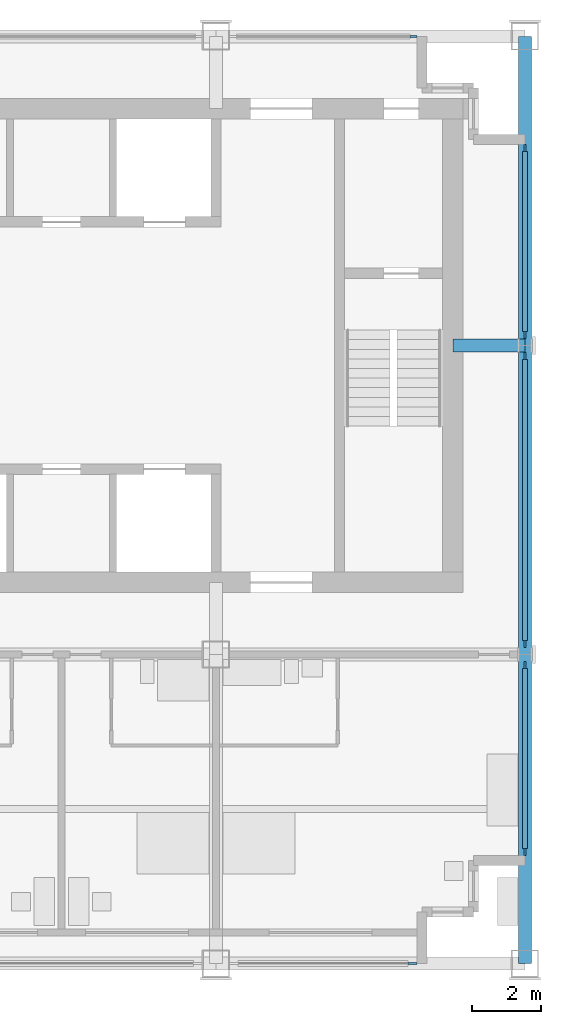
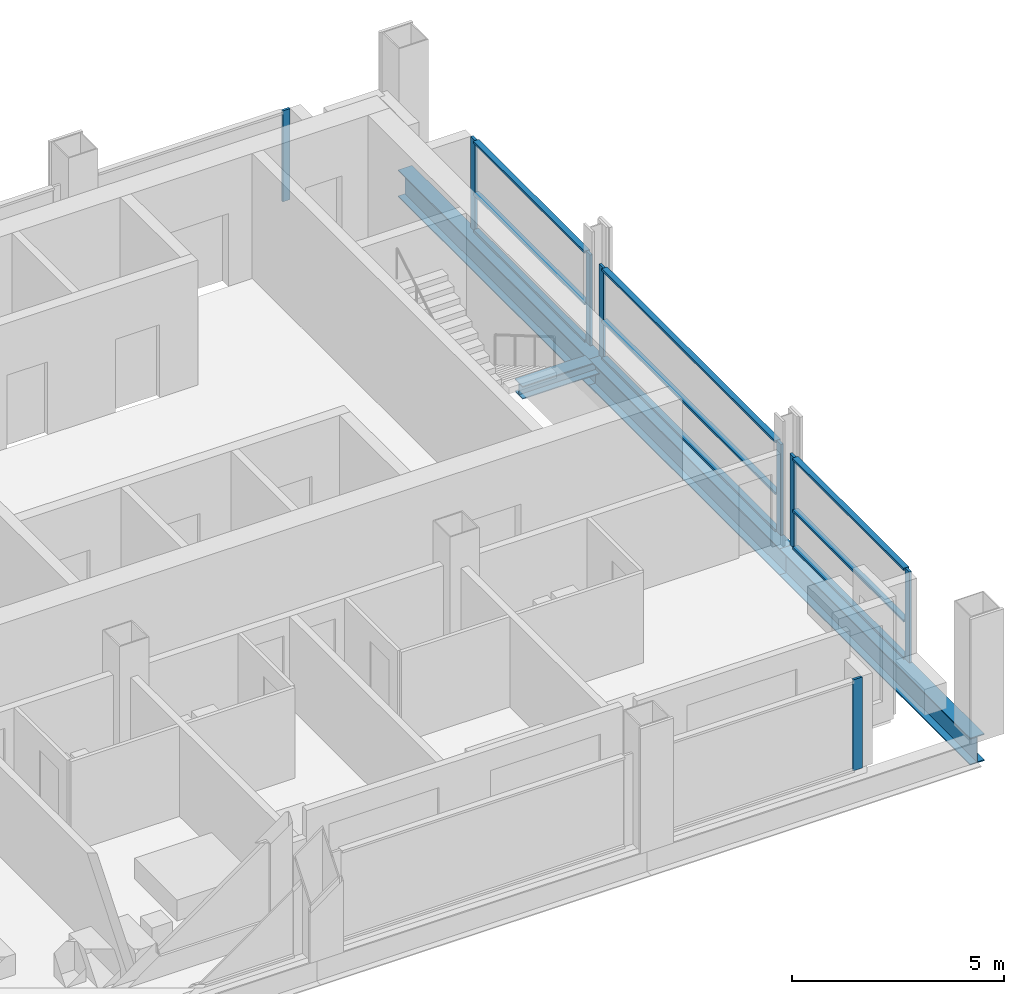
# One storey, part 4 of 12: 18 members, 3 beams, 5 elements without a shape of their own.
"""IFC4 building model written with IfcOpenShell, lengths in metres."""

from ifc_helpers import new_model, si_unit, direction, frame, origin, origin_2d, place, context, subcontext, project, spatial, rectangle, i_section, extrude, material, material_profile, profile_set, type_object, element, aggregate, save


model = new_model("IFC4")

# Units and contexts
model_context = context("Model", 3, precision=1e-05, world=origin(), true_north=direction((0.0, 1.0)))
body_context = subcontext(model_context, "Body", "Model", "MODEL_VIEW")
ifc_project = project(units=[si_unit("LENGTHUNIT", "METRE"), si_unit("AREAUNIT", "SQUARE_METRE"), si_unit("VOLUMEUNIT", "CUBIC_METRE"), si_unit("PLANEANGLEUNIT", "RADIAN"), si_unit("MASSUNIT", "GRAM", prefix="KILO")], contexts=[model_context])

# Site, building, storey
site_placement = place(None, origin())
site = spatial("IfcSite", under=ifc_project, at=site_placement, CompositionType="ELEMENT")
building_placement = place(site_placement, origin())
building = spatial("IfcBuilding", under=site, at=building_placement, Name="Loomwork Tower", CompositionType="ELEMENT")
storey_placement = place(building_placement, frame((0.0, 0.0, 259.0)))
storey = spatial("IfcBuildingStorey", under=building, at=storey_placement, Name="L71", CompositionType="ELEMENT", Elevation=259.0)

# Member
ifc_material_1 = material(Name="Steel ASTM A992", Category="steel")
ifc_material_profile_1 = material_profile(ifc_material_1, i_section(OverallWidth=0.373291015625, OverallDepth=0.373291015625, WebThickness=0.016357421875, FlangeThickness=0.026123046875, at=origin_2d()), Name="W14x132")
ifc_profile_set_1 = profile_set([ifc_material_profile_1], Name="Steel ASTM A992")
member_type_1 = type_object("IfcMemberType", Name="CORE LINK STRUT W14x132", PredefinedType="STRUT", material=ifc_profile_set_1)
member_1_placement = place(storey_placement, frame((36.0, 18.0, -0.38671875), z_axis=(-1.0, 0.0, 0.0), x_axis=(0.0, -1.0, 0.0)))
element("IfcMember", 1, at=member_1_placement, inside=storey, type_object=member_type_1, Name="Core link strut F/6-33.900,18.000 L71", PredefinedType="STRUT", context=body_context, shape_type="SweptSolid", body=[
    extrude(i_section(OverallWidth=0.373291015625, OverallDepth=0.373291015625, WebThickness=0.016357421875, FlangeThickness=0.026123046875, at=origin_2d()), origin(), (0.0, 0.0, 1.0), 2.10009765625),
])

# Curtain wall, member
ifc_material_2 = material(Name="Aluminium curtain wall frame", Category="aluminium")
curtain_wall_type_1 = type_object("IfcCurtainWallType", Name="Outer skin glazing suites", PredefinedType="NOTDEFINED", material=ifc_material_2)
curtain_wall_1_placement = place(storey_placement, origin())
curtain_wall_1 = element("IfcCurtainWall", 2, at=curtain_wall_1_placement, inside=storey, type_object=curtain_wall_type_1, Name="Outer skin glazing suites cw/S-27", PredefinedType="NOTDEFINED")
ifc_material_3 = material(Name="Aluminium curtain wall frame", Category="aluminium")
ifc_material_profile_2 = material_profile(ifc_material_3, rectangle(XDim=0.06494140625, YDim=0.25, at=origin_2d()), Name="AL 65x250")
ifc_profile_set_2 = profile_set([ifc_material_profile_2], Name="Aluminium curtain wall frame")
member_type_2 = type_object("IfcMemberType", Name="Outer skin glazing suites mullion", PredefinedType="MULLION", material=ifc_profile_set_2)
member_2_placement = place(storey_placement, frame((32.72509765625, 0.0, 0.0), z_axis=(0.0, 0.0, 1.0), x_axis=(0.0, 1.0, 0.0)))
member_2 = element("IfcMember", 3, at=member_2_placement, type_object=member_type_2, Name="CW2 mullion 2", PredefinedType="MULLION", context=body_context, shape_type="SweptSolid", body=[
    extrude(rectangle(XDim=0.06494140625, YDim=0.25, at=origin_2d()), origin(), (0.0, 0.0, 1.0), 2.6201171875),
])
aggregate(curtain_wall_1, [member_2])

# Beams
ifc_material_4 = material(Name="Steel ASTM A992", Category="steel")
ifc_material_profile_3 = material_profile(ifc_material_4, i_section(OverallWidth=0.381103515625, OverallDepth=0.77978515625, WebThickness=0.01806640625, FlangeThickness=0.0302734375, at=origin_2d()), Name="W30x191")
ifc_profile_set_3 = profile_set([ifc_material_profile_3], Name="Steel ASTM A992")
beam_type = type_object("IfcBeamType", Name="SPANDREL GIRDER W30x191", PredefinedType="SPANDREL", material=ifc_profile_set_3)
for number, where, z_axis, x_axis, name in (
    (4, (36.0, 0.0, -0.58984375), (0.0, 1.0, 0.0), (-1.0, 0.0, 0.0), "Spandrel Girder D/6-E/6 L71"),
    (5, (36.0, 9.0, -0.58984375), (0.0, 1.0, 0.0), (-1.0, 0.0, 0.0), "Spandrel Girder E/6-F/6 L71"),
    (6, (36.0, 18.0, -0.58984375), (0.0, 1.0, 0.0), (-1.0, 0.0, 0.0), "Spandrel Girder F/6-G/6 L71"),
):
    element("IfcBeam", number, at=place(storey_placement, frame(where, z_axis=z_axis, x_axis=x_axis)), inside=storey, type_object=beam_type, Name=name, PredefinedType="SPANDREL", context=body_context, shape_type="SweptSolid", body=[
        extrude(i_section(OverallWidth=0.381103515625, OverallDepth=0.77978515625, WebThickness=0.01806640625, FlangeThickness=0.0302734375, at=origin_2d()), origin(), (0.0, 0.0, 1.0), 9.0),
    ])

# Curtain wall, member
ifc_material_5 = material(Name="Aluminium curtain wall frame", Category="aluminium")
curtain_wall_type_2 = type_object("IfcCurtainWallType", Name="Single skin glazing corridor", PredefinedType="NOTDEFINED", material=ifc_material_5)
curtain_wall_2_placement = place(storey_placement, origin())
curtain_wall_2 = element("IfcCurtainWall", 7, at=curtain_wall_2_placement, inside=storey, type_object=curtain_wall_type_2, Name="Single skin glazing corridor cw/N-27", PredefinedType="NOTDEFINED")
ifc_material_6 = material(Name="Aluminium curtain wall frame", Category="aluminium")
ifc_material_profile_4 = material_profile(ifc_material_6, rectangle(XDim=0.06494140625, YDim=0.199951171875, at=origin_2d()), Name="AL 65x200")
ifc_profile_set_4 = profile_set([ifc_material_profile_4], Name="Aluminium curtain wall frame")
member_type_3 = type_object("IfcMemberType", Name="Single skin glazing corridor mullion", PredefinedType="MULLION", material=ifc_profile_set_4)
member_3_placement = place(storey_placement, frame((32.75, 27.0, 0.0), z_axis=(0.0, 0.0, 1.0), x_axis=(0.0, -1.0, 0.0)))
member_3 = element("IfcMember", 8, at=member_3_placement, type_object=member_type_3, Name="CW3 mullion 1", PredefinedType="MULLION", context=body_context, shape_type="SweptSolid", body=[
    extrude(rectangle(XDim=0.06494140625, YDim=0.199951171875, at=origin_2d()), origin(), (0.0, 0.0, 1.0), 2.6201171875),
])
aggregate(curtain_wall_2, [member_3])

# Curtain wall, members
curtain_wall_3_placement = place(storey_placement, origin())
curtain_wall_3 = element("IfcCurtainWall", 9, at=curtain_wall_3_placement, inside=storey, type_object=curtain_wall_type_2, Name="Single skin glazing corridor cw/E-0", PredefinedType="NOTDEFINED")
member_4_placement = place(storey_placement, frame((36.0, 3.25, 0.0), z_axis=(0.0, 0.0, 1.0), x_axis=(-1.0, 0.0, 0.0)))
member_4 = element("IfcMember", 10, at=member_4_placement, type_object=member_type_3, Name="CW3 mullion 1", PredefinedType="MULLION", context=body_context, shape_type="SweptSolid", body=[
    extrude(rectangle(XDim=0.06494140625, YDim=0.199951171875, at=origin_2d()), origin(), (0.0, 0.0, 1.0), 2.6201171875),
])
member_5_placement = place(storey_placement, frame((36.0, 8.691650390625, 0.0), z_axis=(0.0, 0.0, 1.0), x_axis=(-1.0, 0.0, 0.0)))
member_5 = element("IfcMember", 11, at=member_5_placement, type_object=member_type_3, Name="CW3 mullion 2", PredefinedType="MULLION", context=body_context, shape_type="SweptSolid", body=[
    extrude(rectangle(XDim=0.06494140625, YDim=0.199951171875, at=origin_2d()), origin(), (0.0, 0.0, 1.0), 2.6201171875),
])

curtain_wall_4_placement = place(storey_placement, origin())
curtain_wall_4 = element("IfcCurtainWall", 12, at=curtain_wall_4_placement, inside=storey, type_object=curtain_wall_type_2, Name="Single skin glazing corridor cw/E-9", PredefinedType="NOTDEFINED")
member_6_placement = place(storey_placement, frame((36.0, 9.308349609375, 0.0), z_axis=(0.0, 0.0, 1.0), x_axis=(-1.0, 0.0, 0.0)))
member_6 = element("IfcMember", 13, at=member_6_placement, type_object=member_type_3, Name="CW3 mullion 1", PredefinedType="MULLION", context=body_context, shape_type="SweptSolid", body=[
    extrude(rectangle(XDim=0.06494140625, YDim=0.199951171875, at=origin_2d()), origin(), (0.0, 0.0, 1.0), 2.6201171875),
])
member_7_placement = place(storey_placement, frame((36.0, 17.691650390625, 0.0), z_axis=(0.0, 0.0, 1.0), x_axis=(-1.0, 0.0, 0.0)))
member_7 = element("IfcMember", 14, at=member_7_placement, type_object=member_type_3, Name="CW3 mullion 2", PredefinedType="MULLION", context=body_context, shape_type="SweptSolid", body=[
    extrude(rectangle(XDim=0.06494140625, YDim=0.199951171875, at=origin_2d()), origin(), (0.0, 0.0, 1.0), 2.6201171875),
])

curtain_wall_5_placement = place(storey_placement, origin())
curtain_wall_5 = element("IfcCurtainWall", 15, at=curtain_wall_5_placement, inside=storey, type_object=curtain_wall_type_2, Name="Single skin glazing corridor cw/E-18", PredefinedType="NOTDEFINED")
member_8_placement = place(storey_placement, frame((36.0, 18.308349609375, 0.0), z_axis=(0.0, 0.0, 1.0), x_axis=(-1.0, 0.0, 0.0)))
member_8 = element("IfcMember", 16, at=member_8_placement, type_object=member_type_3, Name="CW3 mullion 1", PredefinedType="MULLION", context=body_context, shape_type="SweptSolid", body=[
    extrude(rectangle(XDim=0.06494140625, YDim=0.199951171875, at=origin_2d()), origin(), (0.0, 0.0, 1.0), 2.6201171875),
])
member_9_placement = place(storey_placement, frame((36.0, 23.75, 0.0), z_axis=(0.0, 0.0, 1.0), x_axis=(-1.0, 0.0, 0.0)))
member_9 = element("IfcMember", 17, at=member_9_placement, type_object=member_type_3, Name="CW3 mullion 2", PredefinedType="MULLION", context=body_context, shape_type="SweptSolid", body=[
    extrude(rectangle(XDim=0.06494140625, YDim=0.199951171875, at=origin_2d()), origin(), (0.0, 0.0, 1.0), 2.6201171875),
])

# Member
ifc_material_7 = material(Name="Aluminium curtain wall frame", Category="aluminium")
ifc_material_profile_5 = material_profile(ifc_material_7, rectangle(XDim=0.14990234375, YDim=0.06494140625, at=origin_2d()), Name="AL 65x150")
ifc_profile_set_5 = profile_set([ifc_material_profile_5], Name="Aluminium curtain wall frame")
member_type_4 = type_object("IfcMemberType", Name="Single skin glazing corridor transom", PredefinedType="USERDEFINED", material=ifc_profile_set_5)
member_10_placement = place(storey_placement, frame((36.0, 3.35009765625, 0.032470703125), z_axis=(0.0, 1.0, 0.0), x_axis=(-1.0, 0.0, 0.0)))
member_10 = element("IfcMember", 18, at=member_10_placement, type_object=member_type_4, Name="CW3 transom 1.1", ObjectType="TRANSOM", PredefinedType="USERDEFINED", context=body_context, shape_type="SweptSolid", body=[
    extrude(rectangle(XDim=0.14990234375, YDim=0.06494140625, at=origin_2d()), origin(), (0.0, 0.0, 1.0), 5.24169921875),
])

member_11_placement = place(storey_placement, frame((36.0, 3.35009765625, 1.10009765625), z_axis=(0.0, 1.0, 0.0), x_axis=(-1.0, 0.0, 0.0)))
member_11 = element("IfcMember", 19, at=member_11_placement, type_object=member_type_4, Name="CW3 transom 1.2", ObjectType="TRANSOM", PredefinedType="USERDEFINED", context=body_context, shape_type="SweptSolid", body=[
    extrude(rectangle(XDim=0.14990234375, YDim=0.06494140625, at=origin_2d()), origin(), (0.0, 0.0, 1.0), 5.24169921875),
])

member_12_placement = place(storey_placement, frame((36.0, 3.35009765625, 2.587646484375), z_axis=(0.0, 1.0, 0.0), x_axis=(-1.0, 0.0, 0.0)))
member_12 = element("IfcMember", 20, at=member_12_placement, type_object=member_type_4, Name="CW3 transom 1.3", ObjectType="TRANSOM", PredefinedType="USERDEFINED", context=body_context, shape_type="SweptSolid", body=[
    extrude(rectangle(XDim=0.14990234375, YDim=0.06494140625, at=origin_2d()), origin(), (0.0, 0.0, 1.0), 5.24169921875),
])

aggregate(curtain_wall_3, [member_4, member_5, member_10, member_11, member_12])

member_13_placement = place(storey_placement, frame((36.0, 9.408203125, 0.032470703125), z_axis=(0.0, 1.0, 0.0), x_axis=(-1.0, 0.0, 0.0)))
member_13 = element("IfcMember", 21, at=member_13_placement, type_object=member_type_4, Name="CW3 transom 1.1", ObjectType="TRANSOM", PredefinedType="USERDEFINED", context=body_context, shape_type="SweptSolid", body=[
    extrude(rectangle(XDim=0.14990234375, YDim=0.06494140625, at=origin_2d()), origin(), (0.0, 0.0, 1.0), 8.18359375),
])

member_14_placement = place(storey_placement, frame((36.0, 9.408203125, 1.10009765625), z_axis=(0.0, 1.0, 0.0), x_axis=(-1.0, 0.0, 0.0)))
member_14 = element("IfcMember", 22, at=member_14_placement, type_object=member_type_4, Name="CW3 transom 1.2", ObjectType="TRANSOM", PredefinedType="USERDEFINED", context=body_context, shape_type="SweptSolid", body=[
    extrude(rectangle(XDim=0.14990234375, YDim=0.06494140625, at=origin_2d()), origin(), (0.0, 0.0, 1.0), 8.18359375),
])

member_15_placement = place(storey_placement, frame((36.0, 9.408203125, 2.587646484375), z_axis=(0.0, 1.0, 0.0), x_axis=(-1.0, 0.0, 0.0)))
member_15 = element("IfcMember", 23, at=member_15_placement, type_object=member_type_4, Name="CW3 transom 1.3", ObjectType="TRANSOM", PredefinedType="USERDEFINED", context=body_context, shape_type="SweptSolid", body=[
    extrude(rectangle(XDim=0.14990234375, YDim=0.06494140625, at=origin_2d()), origin(), (0.0, 0.0, 1.0), 8.18359375),
])

aggregate(curtain_wall_4, [member_6, member_7, member_13, member_14, member_15])

member_16_placement = place(storey_placement, frame((36.0, 18.408203125, 0.032470703125), z_axis=(0.0, 1.0, 0.0), x_axis=(-1.0, 0.0, 0.0)))
member_16 = element("IfcMember", 24, at=member_16_placement, type_object=member_type_4, Name="CW3 transom 1.1", ObjectType="TRANSOM", PredefinedType="USERDEFINED", context=body_context, shape_type="SweptSolid", body=[
    extrude(rectangle(XDim=0.14990234375, YDim=0.06494140625, at=origin_2d()), origin(), (0.0, 0.0, 1.0), 5.24169921875),
])

member_17_placement = place(storey_placement, frame((36.0, 18.408203125, 1.10009765625), z_axis=(0.0, 1.0, 0.0), x_axis=(-1.0, 0.0, 0.0)))
member_17 = element("IfcMember", 25, at=member_17_placement, type_object=member_type_4, Name="CW3 transom 1.2", ObjectType="TRANSOM", PredefinedType="USERDEFINED", context=body_context, shape_type="SweptSolid", body=[
    extrude(rectangle(XDim=0.14990234375, YDim=0.06494140625, at=origin_2d()), origin(), (0.0, 0.0, 1.0), 5.24169921875),
])

member_18_placement = place(storey_placement, frame((36.0, 18.408203125, 2.587646484375), z_axis=(0.0, 1.0, 0.0), x_axis=(-1.0, 0.0, 0.0)))
member_18 = element("IfcMember", 26, at=member_18_placement, type_object=member_type_4, Name="CW3 transom 1.3", ObjectType="TRANSOM", PredefinedType="USERDEFINED", context=body_context, shape_type="SweptSolid", body=[
    extrude(rectangle(XDim=0.14990234375, YDim=0.06494140625, at=origin_2d()), origin(), (0.0, 0.0, 1.0), 5.24169921875),
])

aggregate(curtain_wall_5, [member_8, member_9, member_16, member_17, member_18])

save(model, "model.ifc")
